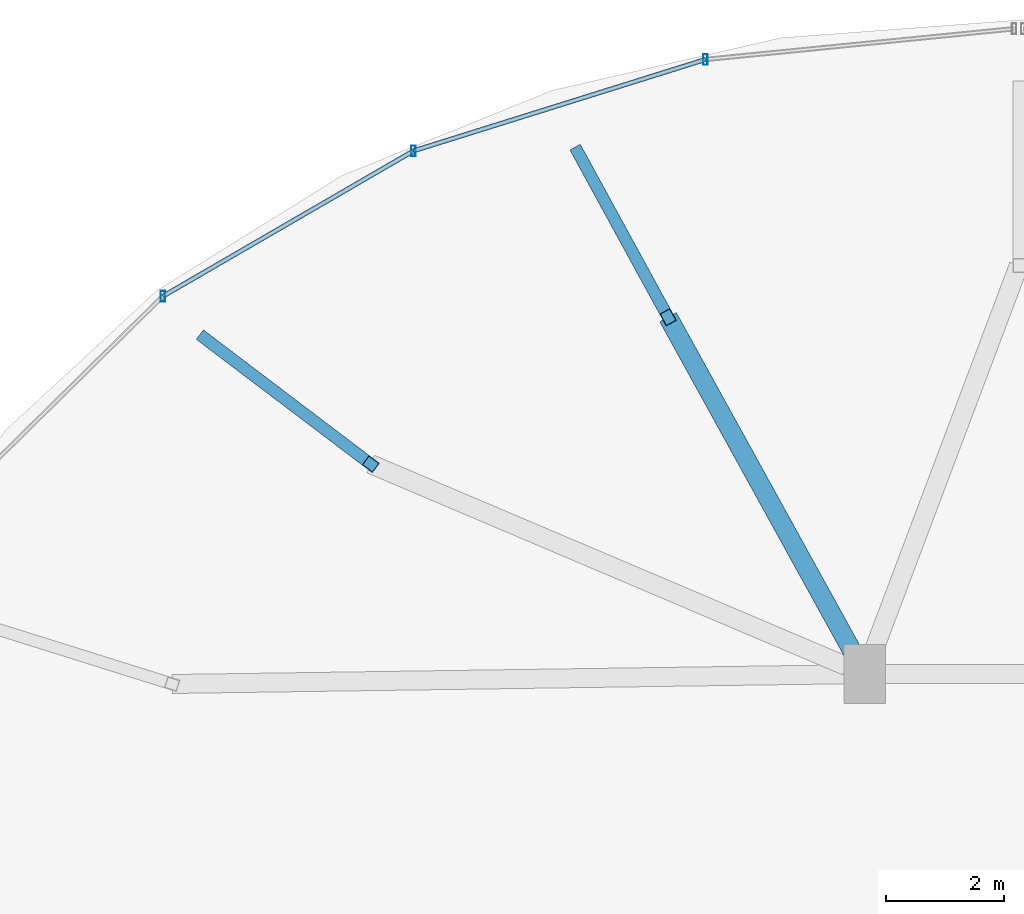
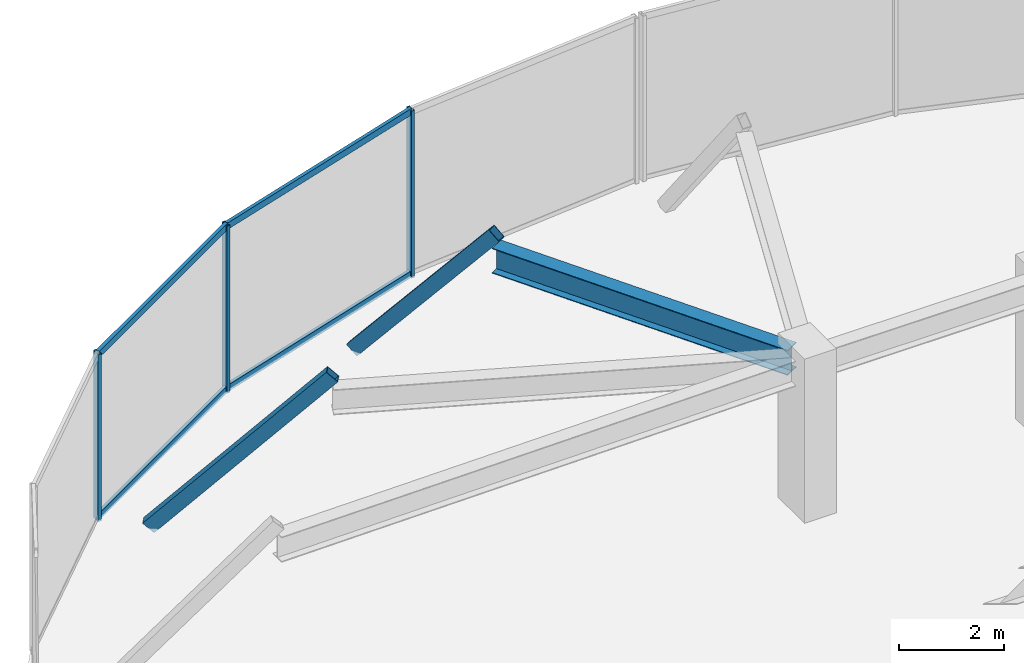
# One storey, part 9 of 14: 9 members, 1 beam, 1 element without a shape of its own.
"""IFC4 building model written with IfcOpenShell, lengths in metres."""

from ifc_helpers import new_model, si_unit, direction, frame, origin, origin_2d, place, context, subcontext, project, spatial, hollow_rectangle, i_section, extrude, material, material_profile, profile_set, type_object, element, aggregate, save


model = new_model("IFC4")

# Units and contexts
model_context = context("Model", 3, precision=1e-05, world=origin(), true_north=direction((0.0, 1.0)))
body_context = subcontext(model_context, "Body", "Model", "MODEL_VIEW")
ifc_project = project(units=[si_unit("LENGTHUNIT", "METRE"), si_unit("AREAUNIT", "SQUARE_METRE"), si_unit("VOLUMEUNIT", "CUBIC_METRE"), si_unit("PLANEANGLEUNIT", "RADIAN"), si_unit("MASSUNIT", "GRAM", prefix="KILO")], contexts=[model_context])

# Site, building, storey
site_placement = place(None, origin())
site = spatial("IfcSite", under=ifc_project, at=site_placement, CompositionType="ELEMENT")
building_placement = place(site_placement, origin())
building = spatial("IfcBuilding", under=site, at=building_placement, Name="Vorneva Point Tower", CompositionType="ELEMENT")
storey_placement = place(building_placement, frame((0.0, 0.0, 299.199951171875)))
storey = spatial("IfcBuildingStorey", under=building, at=storey_placement, Name="C02", CompositionType="ELEMENT", Elevation=299.199951171875)

# Beam
ifc_material_1 = material(Name="Steel S355", Category="steel")
ifc_material_profile_1 = material_profile(ifc_material_1, i_section(OverallWidth=0.320068359375, OverallDepth=0.580078125, WebThickness=0.011962890625, FlangeThickness=0.01708984375, at=origin_2d()), Name="60Sh1")
ifc_profile_set_1 = profile_set([ifc_material_profile_1], Name="Steel S355")
beam_type = type_object("IfcBeamType", Name="BM-GRD-60Sh1", PredefinedType="USERDEFINED", material=ifc_profile_set_1)
beam_placement = place(storey_placement, frame((32.0751953125, 36.578369140625, 3.260009765625), z_axis=(0.482945190074, -0.875650582929, 0.0), x_axis=(0.875650582929, 0.482945190074, 0.0)))
element("IfcBeam", 1, at=beam_placement, inside=storey, type_object=beam_type, Name="C02 Radial Primary Girder 06", ObjectType="GIRDER", PredefinedType="USERDEFINED", context=body_context, shape_type="SweptSolid", body=[
    extrude(i_section(OverallWidth=0.320068359375, OverallDepth=0.580078125, WebThickness=0.011962890625, FlangeThickness=0.01708984375, at=origin_2d()), origin(), (0.0, 0.0, 1.0), 6.54443359375),
])

# Curtain wall, members
ifc_material_2 = material(Name="Pale anodised aluminium", Category="aluminium")
curtain_wall_type = type_object("IfcCurtainWallType", Name="CW-CRN-SYS", PredefinedType="NOTDEFINED", material=ifc_material_2)
curtain_wall_placement = place(storey_placement, origin())
curtain_wall = element("IfcCurtainWall", 2, at=curtain_wall_placement, inside=storey, type_object=curtain_wall_type, Name="C02 Unitised Curtain Wall CW-C02-Q2", PredefinedType="NOTDEFINED")
ifc_material_profile_2 = material_profile(ifc_material_2, hollow_rectangle(XDim=0.074951171875, YDim=0.179931640625, WallThickness=0.00390625, at=origin_2d()), Name="AL-MUL 180x75x4")
ifc_profile_set_2 = profile_set([ifc_material_profile_2], Name="Pale anodised aluminium")
member_type_1 = type_object("IfcMemberType", Name="CW-MUL-180", PredefinedType="MULLION", material=ifc_profile_set_2)
member_1_placement = place(storey_placement, frame((32.70654296875, 40.93310546875, -0.0400390625), z_axis=(0.0, 0.0, 1.0), x_axis=(1.0, 0.0, 0.0)))
member_1 = element("IfcMember", 3, at=member_1_placement, type_object=member_type_1, Name="CW-C02-Q2 Mullion 02", PredefinedType="MULLION", context=body_context, shape_type="SweptSolid", body=[
    extrude(hollow_rectangle(XDim=0.074951171875, YDim=0.179931640625, WallThickness=0.00390625, at=origin_2d()), origin(), (0.0, 0.0, 1.0), 3.8701171875),
])
member_2_placement = place(storey_placement, frame((27.77392578125, 39.388916015625, -0.0400390625), z_axis=(0.0, 0.0, 1.0), x_axis=(1.0, 0.0, 0.0)))
member_2 = element("IfcMember", 4, at=member_2_placement, type_object=member_type_1, Name="CW-C02-Q2 Mullion 03", PredefinedType="MULLION", context=body_context, shape_type="SweptSolid", body=[
    extrude(hollow_rectangle(XDim=0.074951171875, YDim=0.179931640625, WallThickness=0.00390625, at=origin_2d()), origin(), (0.0, 0.0, 1.0), 3.8701171875),
])
member_3_placement = place(storey_placement, frame((23.538330078125, 36.931884765625, -0.0400390625), z_axis=(0.0, 0.0, 1.0), x_axis=(1.0, 0.0, 0.0)))
member_3 = element("IfcMember", 5, at=member_3_placement, type_object=member_type_1, Name="CW-C02-Q2 Mullion 04", PredefinedType="MULLION", context=body_context, shape_type="SweptSolid", body=[
    extrude(hollow_rectangle(XDim=0.074951171875, YDim=0.179931640625, WallThickness=0.00390625, at=origin_2d()), origin(), (0.0, 0.0, 1.0), 3.8701171875),
])
ifc_material_profile_3 = material_profile(ifc_material_2, hollow_rectangle(XDim=0.074951171875, YDim=0.14990234375, WallThickness=0.00390625, at=origin_2d()), Name="AL-TRN 150x75x4")
ifc_profile_set_3 = profile_set([ifc_material_profile_3], Name="Pale anodised aluminium")
member_type_2 = type_object("IfcMemberType", Name="CW-TRN-150", PredefinedType="USERDEFINED", material=ifc_profile_set_3)
member_4_placement = place(storey_placement, frame((32.70654296875, 40.93310546875, 0.02001953125), z_axis=(-0.954328569955, -0.298759067757, 0.0), x_axis=(0.298759067757, -0.954328569955, 0.0)))
member_4 = element("IfcMember", 6, at=member_4_placement, type_object=member_type_2, Name="CW-C02-Q2 Transom 02.1", ObjectType="TRANSOM", PredefinedType="USERDEFINED", context=body_context, shape_type="SweptSolid", body=[
    extrude(hollow_rectangle(XDim=0.074951171875, YDim=0.14990234375, WallThickness=0.00390625, at=origin_2d()), origin(), (0.0, 0.0, 1.0), 5.168701171875),
])
member_5_placement = place(storey_placement, frame((32.70654296875, 40.93310546875, 3.780029296875), z_axis=(-0.954328569955, -0.298759067757, 0.0), x_axis=(0.298759067757, -0.954328569955, 0.0)))
member_5 = element("IfcMember", 7, at=member_5_placement, type_object=member_type_2, Name="CW-C02-Q2 Transom 02.2", ObjectType="TRANSOM", PredefinedType="USERDEFINED", context=body_context, shape_type="SweptSolid", body=[
    extrude(hollow_rectangle(XDim=0.074951171875, YDim=0.14990234375, WallThickness=0.00390625, at=origin_2d()), origin(), (0.0, 0.0, 1.0), 5.168701171875),
])
member_6_placement = place(storey_placement, frame((27.77392578125, 39.388916015625, 0.02001953125), z_axis=(-0.864996998067, -0.50177703548, 0.0), x_axis=(0.50177703548, -0.864996998067, 0.0)))
member_6 = element("IfcMember", 8, at=member_6_placement, type_object=member_type_2, Name="CW-C02-Q2 Transom 03.1", ObjectType="TRANSOM", PredefinedType="USERDEFINED", context=body_context, shape_type="SweptSolid", body=[
    extrude(hollow_rectangle(XDim=0.074951171875, YDim=0.14990234375, WallThickness=0.00390625, at=origin_2d()), origin(), (0.0, 0.0, 1.0), 4.896728515625),
])
member_7_placement = place(storey_placement, frame((27.77392578125, 39.388916015625, 3.780029296875), z_axis=(-0.864996998067, -0.50177703548, 0.0), x_axis=(0.50177703548, -0.864996998067, 0.0)))
member_7 = element("IfcMember", 9, at=member_7_placement, type_object=member_type_2, Name="CW-C02-Q2 Transom 03.2", ObjectType="TRANSOM", PredefinedType="USERDEFINED", context=body_context, shape_type="SweptSolid", body=[
    extrude(hollow_rectangle(XDim=0.074951171875, YDim=0.14990234375, WallThickness=0.00390625, at=origin_2d()), origin(), (0.0, 0.0, 1.0), 4.896728515625),
])
aggregate(curtain_wall, [member_1, member_2, member_3, member_4, member_5, member_6, member_7])

# Members
ifc_material_profile_4 = material_profile(ifc_material_1, hollow_rectangle(XDim=0.199951171875, YDim=0.300048828125, WallThickness=0.011962890625, at=origin_2d()), Name="PP 300x200x12")
ifc_profile_set_4 = profile_set([ifc_material_profile_4], Name="Steel S355")
member_type_3 = type_object("IfcMemberType", Name="MBR-CRN-PP300", PredefinedType="CHORD", material=ifc_profile_set_4)
member_8_placement = place(storey_placement, frame((30.559814453125, 39.35009765625, 0.0), z_axis=(0.306659075277, -0.56089906261, 0.768994442837), x_axis=(0.877425528815, 0.479712873897, 0.0)))
element("IfcMember", 10, at=member_8_placement, inside=storey, type_object=member_type_3, Name="Crown Tapered Frame Rib C02-06", PredefinedType="CHORD", context=body_context, shape_type="SweptSolid", body=[
    extrude(hollow_rectangle(XDim=0.199951171875, YDim=0.300048828125, WallThickness=0.011962890625, at=origin_2d()), origin(), (0.0, 0.0, 1.0), 4.941650390625),
])
member_9_placement = place(storey_placement, frame((24.25244140625, 36.2177734375, 0.0), z_axis=(0.541071287919, -0.409919646066, 0.73430766383), x_axis=(0.603873744737, 0.797079983702, 0.0)))
element("IfcMember", 11, at=member_9_placement, inside=storey, type_object=member_type_3, Name="Crown Tapered Frame Rib C02-07", PredefinedType="CHORD", context=body_context, shape_type="SweptSolid", body=[
    extrude(hollow_rectangle(XDim=0.199951171875, YDim=0.300048828125, WallThickness=0.011962890625, at=origin_2d()), origin(), (0.0, 0.0, 1.0), 5.175048828125),
])

save(model, "model.ifc")
